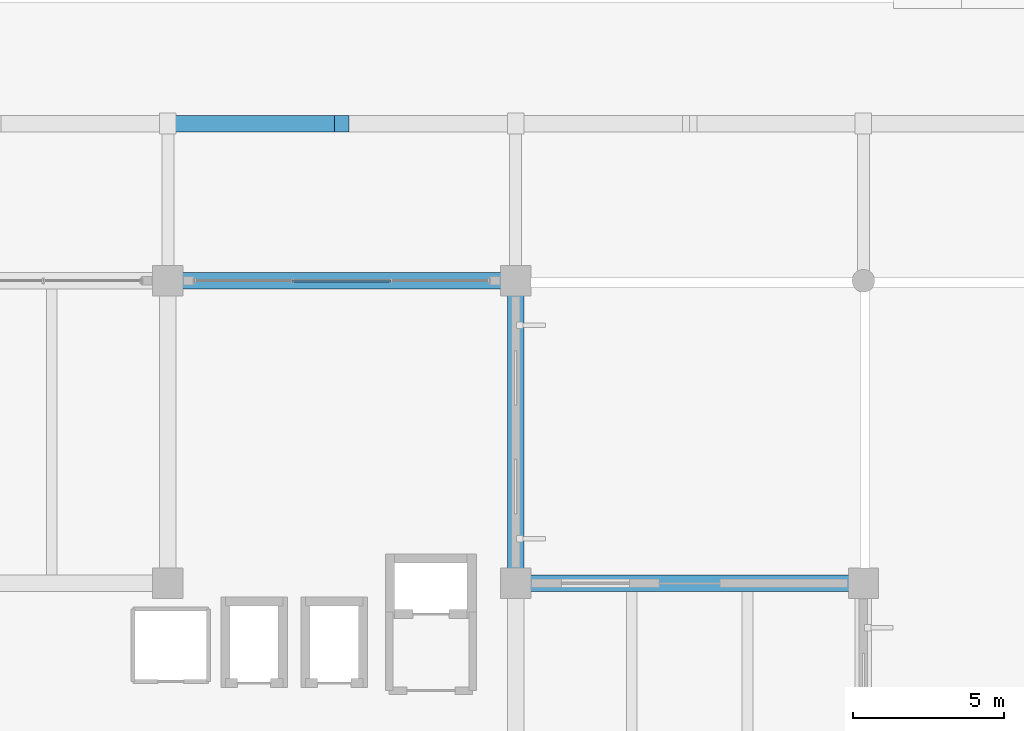
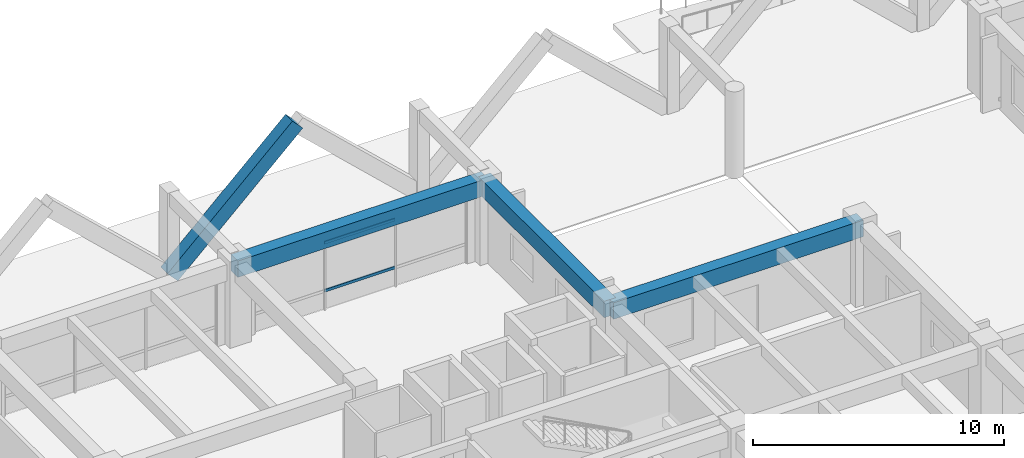
# One storey, part 69 of 109: 3 beams, 3 members, 1 element without a shape of its own.
"""IFC4 building model written with IfcOpenShell, lengths in metres."""

from ifc_helpers import new_model, si_unit, direction, frame, origin, origin_2d, place, context, subcontext, project, spatial, rectangle, hollow_rectangle, extrude, material, material_profile, profile_set, type_object, element, aggregate, save


model = new_model("IFC4")

# Units and contexts
model_context = context("Model", 3, precision=1e-05, world=origin(), true_north=direction((0.0, 1.0)))
body_context = subcontext(model_context, "Body", "Model", "MODEL_VIEW")
ifc_project = project(units=[si_unit("LENGTHUNIT", "METRE"), si_unit("AREAUNIT", "SQUARE_METRE"), si_unit("VOLUMEUNIT", "CUBIC_METRE"), si_unit("PLANEANGLEUNIT", "RADIAN"), si_unit("MASSUNIT", "GRAM", prefix="KILO")], contexts=[model_context])

# Site, building, storey
site_placement = place(None, origin())
site = spatial("IfcSite", under=ifc_project, at=site_placement, CompositionType="ELEMENT")
building_placement = place(site_placement, origin())
building = spatial("IfcBuilding", under=site, at=building_placement, Name="Ologun Quay Terminus", CompositionType="ELEMENT")
storey_placement = place(building_placement, origin())
storey = spatial("IfcBuildingStorey", under=building, at=storey_placement, Name="L00", CompositionType="ELEMENT", Elevation=0.0)

# Beams
ifc_material_1 = material(Name="Concrete C40/50", Category="concrete")
ifc_material_profile_1 = material_profile(ifc_material_1, rectangle(XDim=0.550048828125, YDim=0.800048828125, at=origin_2d()), Name="RC 550x800")
ifc_profile_set_1 = profile_set([ifc_material_profile_1], Name="Concrete C40/50")
beam_type = type_object("IfcBeamType", Name="Courtyard Wing Primary Girder 550x800", PredefinedType="BEAM", material=ifc_profile_set_1)
for number, where, z_axis, x_axis, name in (
    (1, (149.5, 104.800048828125, 3.550048828125), (1.0, 0.0, 0.0), (0.0, 1.0, 0.0), "B4 Beam 14/J L00"),
    (2, (138.0, 114.800048828125, 3.550048828125), (1.0, 0.0, 0.0), (0.0, 1.0, 0.0), "B4 Beam 13/K L00"),
):
    element("IfcBeam", number, at=place(storey_placement, frame(where, z_axis=z_axis, x_axis=x_axis)), inside=storey, type_object=beam_type, Name=name, PredefinedType="BEAM", context=body_context, shape_type="SweptSolid", body=[
        extrude(rectangle(XDim=0.550048828125, YDim=0.800048828125, at=origin_2d()), origin(), (0.0, 0.0, 1.0), 11.5),
    ])
beam_placement = place(storey_placement, frame((149.5, 104.800048828125, 3.550048828125), z_axis=(0.0, 1.0, 0.0), x_axis=(-1.0, 0.0, 0.0)))
element("IfcBeam", 3, at=beam_placement, inside=storey, type_object=beam_type, Name="B4 Beam 14/J L00", PredefinedType="BEAM", context=body_context, shape_type="SweptSolid", body=[
    extrude(rectangle(XDim=0.550048828125, YDim=0.800048828125, at=origin_2d()), origin(), (0.0, 0.0, 1.0), 10.0),
])

# Curtain wall, members
ifc_material_2 = material(Name="Aluminium 6063-T6", Category="aluminium")
curtain_wall_type = type_object("IfcCurtainWallType", Name="Waterfront Pavilion Harbour Curtain Wall L00 10500x3750", PredefinedType="USERDEFINED", material=ifc_material_2)
curtain_wall_placement = place(storey_placement, origin())
curtain_wall = element("IfcCurtainWall", 4, at=curtain_wall_placement, inside=storey, type_object=curtain_wall_type, Name="CW-22 Curtain Wall CW-L00-121", ObjectType="UNITISED CURTAIN WALL", PredefinedType="USERDEFINED")
ifc_material_3 = material(Name="Aluminium 6063-T6", Category="aluminium")
ifc_material_profile_2 = material_profile(ifc_material_3, hollow_rectangle(XDim=0.06005859375, YDim=0.1298828125, WallThickness=0.00390625, at=origin_2d()), Name="ALU 130x60x4")
ifc_profile_set_2 = profile_set([ifc_material_profile_2], Name="Aluminium 6063-T6")
member_type_1 = type_object("IfcMemberType", Name="Curtain Wall Heavy Transom 130x60", PredefinedType="USERDEFINED", material=ifc_profile_set_2)
member_1_placement = place(storey_placement, frame((142.123291015625, 114.800048828125, 0.89990234375), z_axis=(1.0, 0.0, 0.0), x_axis=(0.0, 1.0, 0.0)))
member_1 = element("IfcMember", 5, at=member_1_placement, type_object=member_type_1, Name="CW-L00-121 Transom B2-1", ObjectType="TRANSOM", PredefinedType="USERDEFINED", context=body_context, shape_type="SweptSolid", body=[
    extrude(hollow_rectangle(XDim=0.06005859375, YDim=0.1298828125, WallThickness=0.00390625, at=origin_2d()), origin(), (0.0, 0.0, 1.0), 3.25341796875),
])
member_2_placement = place(storey_placement, frame((142.123291015625, 114.800048828125, 3.22998046875), z_axis=(1.0, 0.0, 0.0), x_axis=(0.0, 1.0, 0.0)))
member_2 = element("IfcMember", 6, at=member_2_placement, type_object=member_type_1, Name="CW-L00-121 Transom B2-2", ObjectType="TRANSOM", PredefinedType="USERDEFINED", context=body_context, shape_type="SweptSolid", body=[
    extrude(hollow_rectangle(XDim=0.06005859375, YDim=0.1298828125, WallThickness=0.00390625, at=origin_2d()), origin(), (0.0, 0.0, 1.0), 3.25341796875),
])
aggregate(curtain_wall, [member_1, member_2])

# Member
ifc_material_4 = material(Name="Concrete C45/55", Category="concrete")
ifc_material_profile_3 = material_profile(ifc_material_4, rectangle(XDim=0.550048828125, YDim=0.699951171875, at=origin_2d()), Name="RC 550x700")
ifc_profile_set_3 = profile_set([ifc_material_profile_3], Name="Concrete C45/55")
member_type_2 = type_object("IfcMemberType", Name="Folded Canopy Concrete V-Strut 550x700", PredefinedType="STRUT", material=ifc_profile_set_3)
member_3_placement = place(storey_placement, frame((138.0, 120.0, 0.0), z_axis=(0.727684573488, 0.0, 0.685911919643), x_axis=(0.0, 1.0, 0.0)))
element("IfcMember", 7, at=member_3_placement, inside=storey, type_object=member_type_2, Name="VS2 Colonnade Strut 13/L-E", PredefinedType="STRUT", context=body_context, shape_type="SweptSolid", body=[
    extrude(rectangle(XDim=0.550048828125, YDim=0.699951171875, at=origin_2d()), origin(), (0.0, 0.0, 1.0), 7.90185546875),
])

save(model, "model.ifc")
